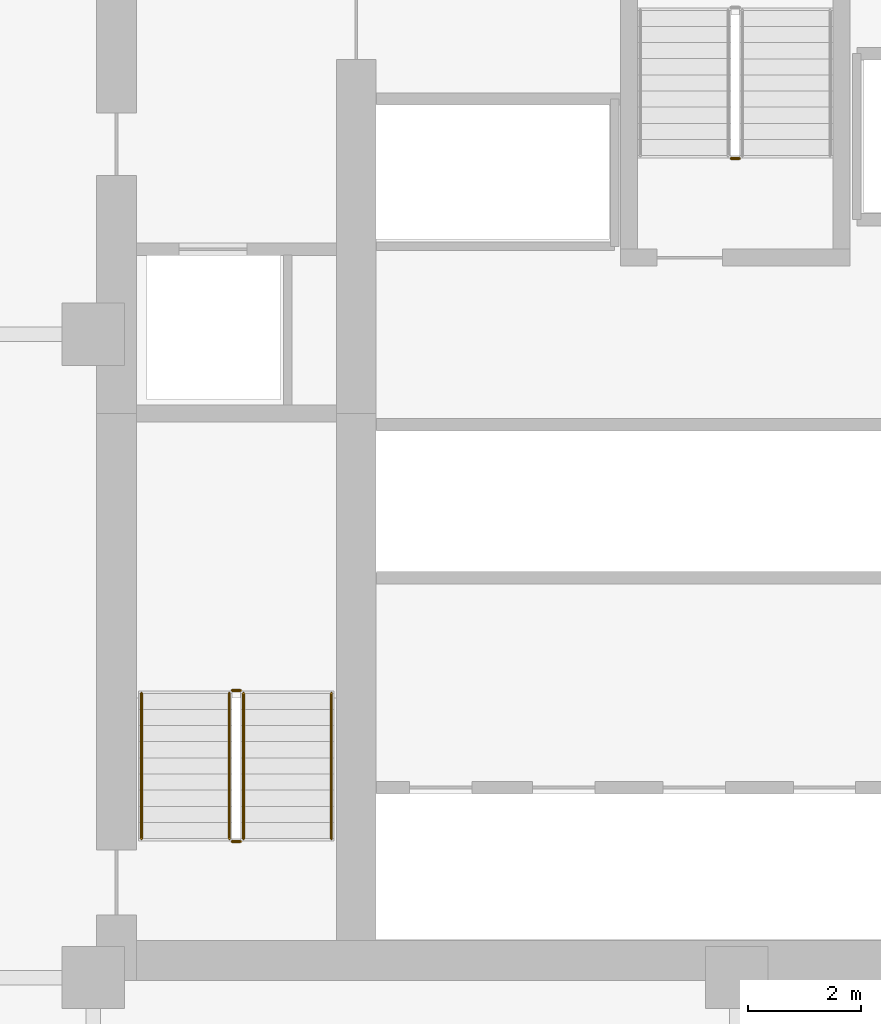
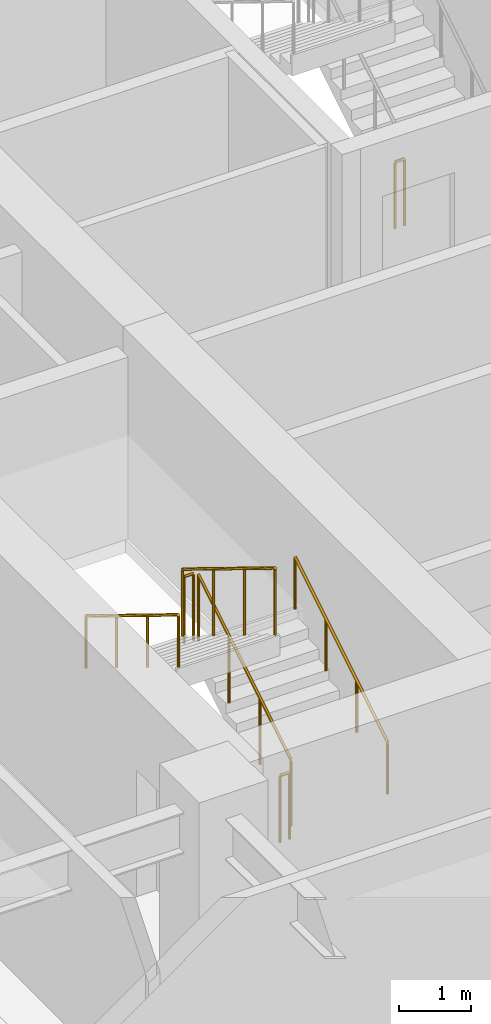
# One storey, part 9 of 12: 7 railings.
"""IFC4 building model written with IfcOpenShell, lengths in metres."""

import ifcopenshell
import ifcopenshell.guid

model = None  # the IFC model being written
_history = None  # IfcOwnerHistory: only IFC2X3 demands one
_inside = {}  # id of a spatial element -> (the spatial element, [elements in it])
_under = {}  # id of a project, library or spatial element -> (it, [spatial elements below it])
_declared = {}  # id of a project -> (the project, [libraries it declares])
_typed = {}  # id of a type object -> (the type object, [elements of that type])
_made_of = {}  # id of a material, layer set ... -> (it, [elements and type objects made of it])


def new_model(schema):
    """Start an empty IFC model of exactly this schema.

    Asked for "IFC4X3", IfcOpenShell would pick the latest addendum, in which some entities
    have other attributes; the version numbers below select the first issue.
    IFC2X3 requires an IfcOwnerHistory on every rooted entity: one is made here for all.
    """
    global model, _history
    if schema == "IFC4X3":
        model = ifcopenshell.file(schema_version=(4, 3, 0, 0))
    else:
        model = ifcopenshell.file(schema=schema)
    _inside.clear()
    _under.clear()
    _declared.clear()
    _typed.clear()
    _made_of.clear()
    _history = None
    if model.schema == "IFC2X3":
        org = make("IfcOrganization", Name="unknown")
        user = make(
            "IfcPersonAndOrganization",
            ThePerson=make("IfcPerson", FamilyName="unknown"),
            TheOrganization=org,
        )
        app = make(
            "IfcApplication",
            ApplicationDeveloper=org,
            Version="unknown",
            ApplicationFullName="unknown",
            ApplicationIdentifier="unknown",
        )
        _history = make(
            "IfcOwnerHistory",
            OwningUser=user,
            OwningApplication=app,
            ChangeAction="ADDED",
            CreationDate=0,
        )
    return model


def make(cls, **values):
    """One entity of the class cls with the attributes given. An attribute that is None is left unset."""
    return model.create_entity(
        cls, **{name: value for name, value in values.items() if value is not None}
    )


def rooted(cls, **values):
    """An entity with a GlobalId (a new one), such as an element, a storey or a relation."""
    return make(cls, GlobalId=ifcopenshell.guid.new(), OwnerHistory=_history, **values)


def si_unit(unit_type, name, prefix=None):
    """IfcSIUnit, for example si_unit("LENGTHUNIT", "METRE", prefix="MILLI")."""
    return make("IfcSIUnit", UnitType=unit_type, Prefix=prefix, Name=name)


def assignment(units):
    """IfcUnitAssignment: the units of a project."""
    return None if units is None else make("IfcUnitAssignment", Units=units)


def point(xyz):
    """IfcCartesianPoint."""
    return None if xyz is None else make("IfcCartesianPoint", Coordinates=xyz)


def direction(xyz):
    """IfcDirection."""
    return None if xyz is None else make("IfcDirection", DirectionRatios=xyz)


def frame(location, z_axis=None, x_axis=None):
    """IfcAxis2Placement3D, a coordinate frame: its origin and axes. An axis left out is left unset."""
    return make(
        "IfcAxis2Placement3D",
        Location=point(location),
        Axis=direction(z_axis),
        RefDirection=direction(x_axis),
    )


def frame_2d(location, x_axis=None):
    """IfcAxis2Placement2D, a coordinate frame in the plane: its origin and x axis."""
    return make(
        "IfcAxis2Placement2D", Location=point(location), RefDirection=direction(x_axis)
    )


def origin():
    """The frame at (0, 0, 0) with its axes left unset."""
    return frame((0.0, 0.0, 0.0))


def origin_2d():
    """The frame at (0, 0) in the plane with its x axis left unset."""
    return frame_2d((0.0, 0.0))


def place(relative_to, where):
    """IfcLocalPlacement: puts the frame where relative to a parent placement (None: the world)."""
    return make(
        "IfcLocalPlacement", PlacementRelTo=relative_to, RelativePlacement=where
    )


def context(
    kind, dimensions, precision=None, world=None, true_north=None, identifier=None
):
    """IfcGeometricRepresentationContext, for example the 3D "Model" context."""
    return make(
        "IfcGeometricRepresentationContext",
        ContextIdentifier=identifier,
        ContextType=kind,
        CoordinateSpaceDimension=dimensions,
        Precision=precision,
        WorldCoordinateSystem=world,
        TrueNorth=true_north,
    )


def subcontext(parent, identifier, kind, view, scale=None):
    """IfcGeometricRepresentationSubContext, for example "Body" below "Model"."""
    return make(
        "IfcGeometricRepresentationSubContext",
        ContextIdentifier=identifier,
        ContextType=kind,
        ParentContext=parent,
        TargetScale=scale,
        TargetView=view,
    )


def project(units=None, contexts=None):
    """IfcProject with its units and contexts."""
    return rooted(
        "IfcProject",
        Name="project",
        RepresentationContexts=contexts,
        UnitsInContext=assignment(units),
    )


def spatial(cls, under=None, at=None, **own):
    """A site, building, storey or space (cls), placed at a placement, below another one or the project."""
    s = rooted(cls, ObjectPlacement=at, **own)
    if under is not None:
        _under.setdefault(under.id(), (under, []))[1].append(s)
    return s


def profile(cls, at=None, kind="AREA", **sizes):
    """A parametric profile (cls). Its sizes go by their IFC names, for example OverallWidth=200.0."""
    return make(cls, ProfileType=kind, Position=at, **sizes)


def circle(**sizes):
    """IfcCircleProfileDef."""
    return profile("IfcCircleProfileDef", **sizes)


def extrude(swept, where, along, depth):
    """IfcExtrudedAreaSolid: the profile swept, set in the frame where, extruded along a direction by depth."""
    return make(
        "IfcExtrudedAreaSolid",
        SweptArea=swept,
        Position=where,
        ExtrudedDirection=direction(along),
        Depth=depth,
    )


def shape(context_of_items, identifier, shape_type, items):
    """IfcShapeRepresentation: the items that make up one representation, for example the "Body"."""
    return make(
        "IfcShapeRepresentation",
        ContextOfItems=context_of_items,
        RepresentationIdentifier=identifier,
        RepresentationType=shape_type,
        Items=items,
    )


def material(Name=None, Category=None):
    """IfcMaterial."""
    return make("IfcMaterial", Name=Name, Category=Category)


def made_of(thing, what):
    """Note that an element or type object is made of a material, layer set ...; save() writes the relation."""
    if what is not None:
        _made_of.setdefault(what.id(), (what, []))[1].append(thing)
    return thing


def type_object(cls, material=None, **own):
    """A type object (cls), such as IfcWallType, which elements share."""
    return made_of(rooted(cls, **own), material)


def element(
    cls,
    number,
    at=None,
    inside=None,
    cuts=None,
    type_object=None,
    material=None,
    context=None,
    identifier="Body",
    shape_type=None,
    held_by="IfcProductDefinitionShape",
    body=None,
    shapes=None,
    **own,
):
    """One element of the class cls, such as IfcWall. Its Tag is "e" and its number.

    at: its placement. inside: the storey or other place that contains it. cuts: it is an
    opening in that element (IfcRelVoidsElement). A single representation is given by context,
    identifier, shape_type and body (its items); several are given by shapes. held_by: the class
    of the entity that holds the representations. save() writes the other relations.
    """
    e = rooted(cls, Tag="e%d" % number, ObjectPlacement=at, **own)
    if body is not None:
        shapes = [shape(context, identifier, shape_type, body)]
    if shapes is not None:
        e.Representation = make(held_by, Representations=shapes)
    if inside is not None:
        _inside.setdefault(inside.id(), (inside, []))[1].append(e)
    if cuts is not None:
        rooted(
            "IfcRelVoidsElement", RelatingBuildingElement=cuts, RelatedOpeningElement=e
        )
    if type_object is not None:
        _typed.setdefault(type_object.id(), (type_object, []))[1].append(e)
    return made_of(e, material)


def aggregate(whole, parts):
    """IfcRelAggregates: a whole, such as a stair, and the parts it consists of."""
    return rooted("IfcRelAggregates", RelatingObject=whole, RelatedObjects=parts)


def save(model, path):
    """Write the relations noted so far, then the file.

    IfcRelAggregates (storeys below a building ...), IfcRelContainedInSpatialStructure (elements
    in a storey), IfcRelDefinesByType, IfcRelAssociatesMaterial and IfcRelDeclares: one each for
    every whole, place, type object, material and project.
    """
    for whole, parts in _under.values():
        aggregate(whole, parts)
    for where, things in _inside.values():
        rooted(
            "IfcRelContainedInSpatialStructure",
            RelatedElements=things,
            RelatingStructure=where,
        )
    for kind, things in _typed.values():
        rooted("IfcRelDefinesByType", RelatedObjects=things, RelatingType=kind)
    for what, things in _made_of.values():
        rooted("IfcRelAssociatesMaterial", RelatedObjects=things, RelatingMaterial=what)
    for by, libraries in _declared.values():
        rooted("IfcRelDeclares", RelatingContext=by, RelatedDefinitions=libraries)
    model.write(path)


model = new_model("IFC4")

# Units and contexts
model_context = context("Model", 3, precision=1e-05, world=origin(), true_north=direction((0.0, 1.0)))
body_context = subcontext(model_context, "Body", "Model", "MODEL_VIEW")
ifc_project = project(units=[si_unit("LENGTHUNIT", "METRE"), si_unit("AREAUNIT", "SQUARE_METRE"), si_unit("VOLUMEUNIT", "CUBIC_METRE"), si_unit("PLANEANGLEUNIT", "RADIAN"), si_unit("MASSUNIT", "GRAM", prefix="KILO")], contexts=[model_context])

# Site, building, storey
site_placement = place(None, origin())
site = spatial("IfcSite", under=ifc_project, at=site_placement, CompositionType="ELEMENT")
building_placement = place(site_placement, origin())
building = spatial("IfcBuilding", under=site, at=building_placement, Name="Nhamokura Convention Tower", CompositionType="ELEMENT")
storey_placement = place(building_placement, frame((0.0, 0.0, 96.25)))
storey = spatial("IfcBuildingStorey", under=building, at=storey_placement, Name="L23", CompositionType="ELEMENT", Elevation=96.25)

# Railings
ifc_material_1 = material(Name="Anodised bronze stainless steel", Category="steel")
railing_type_1 = type_object("IfcRailingType", Name="StairWallHandrail_900", PredefinedType="HANDRAIL", material=ifc_material_1)
railing_1_placement = place(storey_placement, frame((24.85009765625, 23.10009765625, 0.175048828125)))
element("IfcRailing", 1, at=railing_1_placement, inside=storey, type_object=railing_type_1, Name="L23 ST-01 stair handrail 1", PredefinedType="HANDRAIL", context=body_context, shape_type="SweptSolid", body=[
    extrude(circle(Radius=0.02392578125, at=origin_2d()), frame((0.0, 0.0, 0.8759765625), z_axis=(0.0, 0.852173129349, 0.523259933127), x_axis=(-1.0, 0.0, 0.0)), (0.0, 0.0, 1.0), 3.009765625),
    extrude(circle(Radius=0.02099609375, at=origin_2d()), origin(), (0.0, 0.0, 1.0), 0.851806640625),
    extrude(circle(Radius=0.02099609375, at=origin_2d()), frame((0.0, 0.85498046875, 0.52490234375)), (0.0, 0.0, 1.0), 0.851806640625),
    extrude(circle(Radius=0.02099609375, at=origin_2d()), frame((0.0, 1.7099609375, 1.050048828125)), (0.0, 0.0, 1.0), 0.851806640625),
    extrude(circle(Radius=0.02099609375, at=origin_2d()), frame((0.0, 2.56494140625, 1.574951171875)), (0.0, 0.0, 1.0), 0.851806640625),
])
railing_2_placement = place(storey_placement, frame((21.5, 25.6650390625, 1.925048828125)))
element("IfcRailing", 2, at=railing_2_placement, inside=storey, type_object=railing_type_1, Name="L23 ST-01 stair handrail 2", PredefinedType="HANDRAIL", context=body_context, shape_type="SweptSolid", body=[
    extrude(circle(Radius=0.02392578125, at=origin_2d()), frame((0.0, 0.0, 0.8759765625), z_axis=(0.0, -0.852173129349, 0.523259933127), x_axis=(1.0, 0.0, 0.0)), (0.0, 0.0, 1.0), 3.009765625),
    extrude(circle(Radius=0.02099609375, at=origin_2d()), origin(), (0.0, 0.0, 1.0), 0.851806640625),
    extrude(circle(Radius=0.02099609375, at=origin_2d()), frame((0.0, -0.85498046875, 0.52490234375)), (0.0, 0.0, 1.0), 0.851806640625),
    extrude(circle(Radius=0.02099609375, at=origin_2d()), frame((0.0, -1.7099609375, 1.050048828125)), (0.0, 0.0, 1.0), 0.851806640625),
    extrude(circle(Radius=0.02099609375, at=origin_2d()), frame((0.0, -2.56494140625, 1.574951171875)), (0.0, 0.0, 1.0), 0.851806640625),
])
ifc_material_2 = material(Name="Painted tubular steel", Category="steel")
railing_type_2 = type_object("IfcRailingType", Name="StairWellGuardrail_1150", PredefinedType="GUARDRAIL", material=ifc_material_2)
railing_3_placement = place(storey_placement, frame((23.300048828125, 23.10009765625, 0.175048828125)))
element("IfcRailing", 3, at=railing_3_placement, inside=storey, type_object=railing_type_2, Name="L23 ST-01 stair guard 1", PredefinedType="GUARDRAIL", context=body_context, shape_type="SweptSolid", body=[
    extrude(circle(Radius=0.02392578125, at=origin_2d()), frame((0.0, 0.0, 1.1259765625), z_axis=(0.0, 0.852173129349, 0.523259933127), x_axis=(-1.0, 0.0, 0.0)), (0.0, 0.0, 1.0), 3.009765625),
    extrude(circle(Radius=0.02099609375, at=origin_2d()), origin(), (0.0, 0.0, 1.0), 1.101806640625),
    extrude(circle(Radius=0.02099609375, at=origin_2d()), frame((0.0, 0.85498046875, 0.52490234375)), (0.0, 0.0, 1.0), 1.101806640625),
    extrude(circle(Radius=0.02099609375, at=origin_2d()), frame((0.0, 1.7099609375, 1.050048828125)), (0.0, 0.0, 1.0), 1.101806640625),
    extrude(circle(Radius=0.02099609375, at=origin_2d()), frame((0.0, 2.56494140625, 1.574951171875)), (0.0, 0.0, 1.0), 1.101806640625),
])
railing_4_placement = place(storey_placement, frame((23.25, 25.715087890625, 1.75)))
element("IfcRailing", 4, at=railing_4_placement, inside=storey, type_object=railing_type_2, Name="L23 ST-01 stair guard 2", PredefinedType="GUARDRAIL", context=body_context, shape_type="SweptSolid", body=[
    extrude(circle(Radius=0.02392578125, at=origin_2d()), frame((0.0, 0.0, 1.1259765625), z_axis=(-1.0, 0.0, 0.0), x_axis=(0.0, -1.0, 0.0)), (0.0, 0.0, 1.0), 0.14990234375),
    extrude(circle(Radius=0.02099609375, at=origin_2d()), origin(), (0.0, 0.0, 1.0), 1.101806640625),
    extrude(circle(Radius=0.02099609375, at=origin_2d()), frame((-0.14990234375, 0.0, 0.0)), (0.0, 0.0, 1.0), 1.101806640625),
])
railing_5_placement = place(storey_placement, frame((23.050048828125, 25.6650390625, 1.925048828125)))
element("IfcRailing", 5, at=railing_5_placement, inside=storey, type_object=railing_type_2, Name="L23 ST-01 stair guard 3", PredefinedType="GUARDRAIL", context=body_context, shape_type="SweptSolid", body=[
    extrude(circle(Radius=0.02392578125, at=origin_2d()), frame((0.0, 0.0, 1.1259765625), z_axis=(0.0, -0.852173129349, 0.523259933127), x_axis=(1.0, 0.0, 0.0)), (0.0, 0.0, 1.0), 3.009765625),
    extrude(circle(Radius=0.02099609375, at=origin_2d()), origin(), (0.0, 0.0, 1.0), 1.101806640625),
    extrude(circle(Radius=0.02099609375, at=origin_2d()), frame((0.0, -0.85498046875, 0.52490234375)), (0.0, 0.0, 1.0), 1.101806640625),
    extrude(circle(Radius=0.02099609375, at=origin_2d()), frame((0.0, -1.7099609375, 1.050048828125)), (0.0, 0.0, 1.0), 1.101806640625),
    extrude(circle(Radius=0.02099609375, at=origin_2d()), frame((0.0, -2.56494140625, 1.574951171875)), (0.0, 0.0, 1.0), 1.101806640625),
])
railing_6_placement = place(storey_placement, frame((23.25, 23.050048828125, 0.0)))
element("IfcRailing", 6, at=railing_6_placement, inside=storey, type_object=railing_type_2, Name="L23 ST-01 stair guard 4", PredefinedType="GUARDRAIL", context=body_context, shape_type="SweptSolid", body=[
    extrude(circle(Radius=0.02392578125, at=origin_2d()), frame((0.0, 0.0, 1.1259765625), z_axis=(-1.0, 0.0, 0.0), x_axis=(0.0, -1.0, 0.0)), (0.0, 0.0, 1.0), 0.14990234375),
    extrude(circle(Radius=0.02099609375, at=origin_2d()), origin(), (0.0, 0.0, 1.0), 1.101806640625),
    extrude(circle(Radius=0.02099609375, at=origin_2d()), frame((-0.14990234375, 0.0, 0.0)), (0.0, 0.0, 1.0), 1.101806640625),
])
railing_7_placement = place(storey_placement, frame((32.050048828125, 35.10009765625, 0.0)))
element("IfcRailing", 7, at=railing_7_placement, inside=storey, type_object=railing_type_2, Name="L23 ST-03 stair guard 4", PredefinedType="GUARDRAIL", context=body_context, shape_type="SweptSolid", body=[
    extrude(circle(Radius=0.02392578125, at=origin_2d()), frame((0.0, 0.0, 1.1259765625), z_axis=(-1.0, 0.0, 0.0), x_axis=(0.0, -1.0, 0.0)), (0.0, 0.0, 1.0), 0.150146484375),
    extrude(circle(Radius=0.02099609375, at=origin_2d()), origin(), (0.0, 0.0, 1.0), 1.101806640625),
    extrude(circle(Radius=0.02099609375, at=origin_2d()), frame((-0.150146484375, 0.0, 0.0)), (0.0, 0.0, 1.0), 1.101806640625),
])

save(model, "model.ifc")
